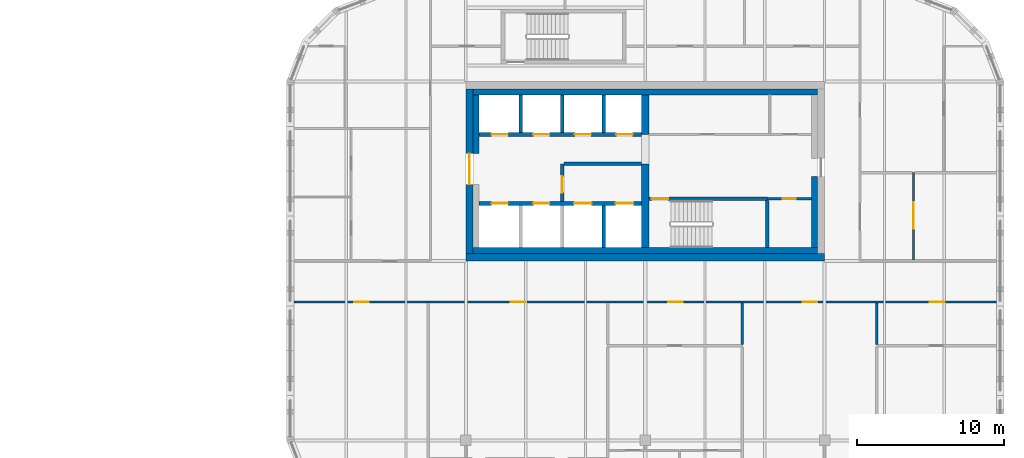
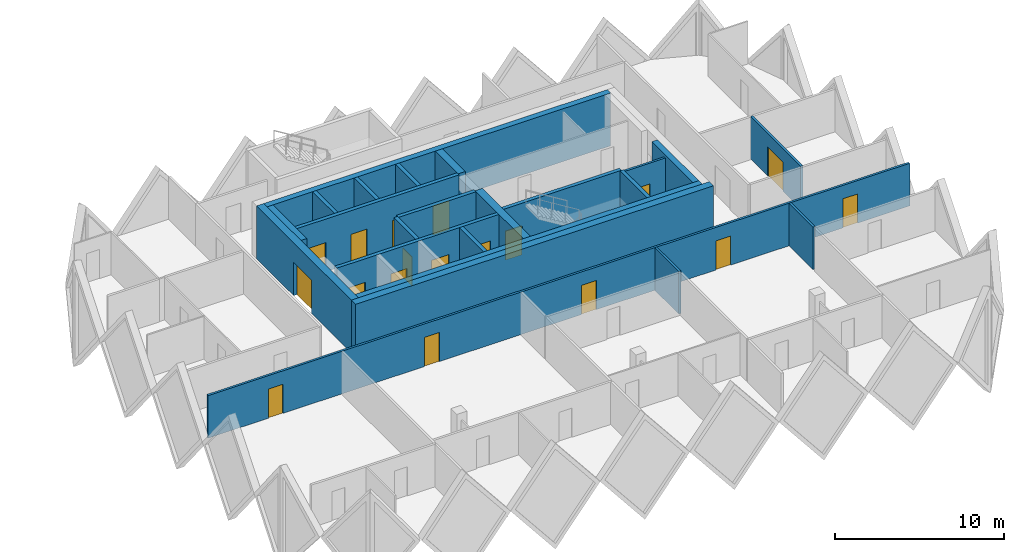
# One storey, part 14 of 19: 23 walls, 18 doors, 18 openings.
"""IFC4 building model written with IfcOpenShell, lengths in metres."""

from ifc_helpers import new_model, si_unit, direction, frame, frame_2d, origin, place, context, subcontext, project, spatial, rectangle, extrude, source, transform, mapped, material, layer, layer_set, type_object, element, fill, save


model = new_model("IFC4")

# Units and contexts
model_context = context("Model", 3, precision=1e-05, world=origin(), true_north=direction((0.0, 1.0)))
body_context = subcontext(model_context, "Body", "Model", "MODEL_VIEW")
ifc_project = project(units=[si_unit("LENGTHUNIT", "METRE"), si_unit("AREAUNIT", "SQUARE_METRE"), si_unit("VOLUMEUNIT", "CUBIC_METRE"), si_unit("PLANEANGLEUNIT", "RADIAN"), si_unit("MASSUNIT", "GRAM", prefix="KILO")], contexts=[model_context])

# Site, building, storey
site_placement = place(None, origin())
site = spatial("IfcSite", under=ifc_project, at=site_placement, CompositionType="ELEMENT")
building_placement = place(site_placement, origin())
building = spatial("IfcBuilding", under=site, at=building_placement, Name="Tessera Gate Towers", CompositionType="ELEMENT")
storey_placement = place(building_placement, frame((0.0, 0.0, 72.39990234375)))
storey = spatial("IfcBuildingStorey", under=building, at=storey_placement, Name="L17", CompositionType="ELEMENT", Elevation=72.39990234375)

# Wall, openings, doors
ifc_material_1 = material(Name="Concrete C40/50", Category="concrete")
ifc_layer_1 = layer(ifc_material_1, 0.25)
ifc_layer_set_1 = layer_set([ifc_layer_1], Name="CORE ENCLOSURE WALL 250")
wall_type_1 = type_object("IfcWallType", Name="CORE ENCLOSURE WALL 250", PredefinedType="SOLIDWALL", material=ifc_layer_set_1)
wall_1_placement = place(storey_placement, frame((98.5, 40.5, 0.0), z_axis=(0.0, 0.0, 1.0), x_axis=(1.0, 0.0, 0.0)))
wall_1 = element("IfcWall", 1, at=wall_1_placement, inside=storey, type_object=wall_type_1, Name="L17 shaft and stair enclosure wall", PredefinedType="SOLIDWALL", context=body_context, shape_type="SweptSolid", body=[
    extrude(rectangle(XDim=11.050048828125, YDim=0.25, at=frame_2d((5.52490234375, 0.0))), origin(), (0.0, 0.0, 1.0), 3.800048828125),
])
shared_shape_1 = source(origin(), body_context, "Body", "SweptSolid", [
    extrude(rectangle(XDim=1.10009765625, YDim=2.10009765625, at=frame_2d((0.550048828125, 1.050048828125))), frame((0.0, 0.135009765625, 0.0), z_axis=(0.0, -1.0, 0.0), x_axis=(1.0, 0.0, 0.0)), (0.0, 0.0, 1.0), 0.27001953125),
])
opening_1_placement = place(wall_1_placement, frame((0.862548828125, 0.0, 0.0)))
opening_1 = element("IfcOpeningElement", 2, at=opening_1_placement, cuts=wall_1, Name="Opening LD-TL1", PredefinedType="OPENING", context=body_context, shape_type="MappedRepresentation", body=[
    mapped(shared_shape_1, transform((0.0, 0.0, 0.0), scale=1.0)),
])
opening_2_placement = place(wall_1_placement, frame((3.6875, 0.0, 0.0)))
opening_2 = element("IfcOpeningElement", 3, at=opening_2_placement, cuts=wall_1, Name="Opening LD-TL2", PredefinedType="OPENING", context=body_context, shape_type="MappedRepresentation", body=[
    mapped(shared_shape_1, transform((0.0, 0.0, 0.0), scale=1.0)),
])
shared_shape_2 = source(origin(), body_context, "Body", "SweptSolid", [
    extrude(rectangle(XDim=1.199951171875, YDim=2.10009765625, at=frame_2d((0.60009765625, 1.050048828125))), frame((0.0, 0.135009765625, 0.0), z_axis=(0.0, -1.0, 0.0), x_axis=(1.0, 0.0, 0.0)), (0.0, 0.0, 1.0), 0.27001953125),
])
opening_3_placement = place(wall_1_placement, frame((6.46240234375, 0.0, 0.0)))
opening_3 = element("IfcOpeningElement", 4, at=opening_3_placement, cuts=wall_1, Name="Opening LD-FF3", PredefinedType="OPENING", context=body_context, shape_type="MappedRepresentation", body=[
    mapped(shared_shape_2, transform((0.0, 0.0, 0.0), scale=1.0)),
])
opening_4_placement = place(wall_1_placement, frame((9.28759765625, 0.0, 0.0)))
opening_4 = element("IfcOpeningElement", 5, at=opening_4_placement, cuts=wall_1, Name="Opening LD-FF4", PredefinedType="OPENING", context=body_context, shape_type="MappedRepresentation", body=[
    mapped(shared_shape_2, transform((0.0, 0.0, 0.0), scale=1.0)),
])
ifc_material_2 = material(Name="Stainless steel", Category="steel")
door_type_1 = type_object("IfcDoorType", Name="CORE DOOR LD1200 1200x2100", OperationType="DOUBLE_DOOR_SLIDING", PredefinedType="DOOR", material=ifc_material_2)
shared_shape_3 = source(origin(), body_context, "Body", "SweptSolid", [
    extrude(rectangle(XDim=1.199951171875, YDim=2.10009765625, at=frame_2d((0.60009765625, 1.050048828125))), frame((0.0, 0.02490234375, 0.0), z_axis=(0.0, -1.0, 0.0), x_axis=(1.0, 0.0, 0.0)), (0.0, 0.0, 1.0), 0.050048828125),
])
door_1_placement = place(opening_3_placement, origin())
door_1 = element("IfcDoor", 6, at=door_1_placement, inside=storey, type_object=door_type_1, Name="Landing door FF3 L17", OperationType="DOUBLE_DOOR_SLIDING", OverallHeight=2.10009765625, OverallWidth=1.199951171875, PredefinedType="DOOR", context=body_context, shape_type="MappedRepresentation", body=[
    mapped(shared_shape_3, transform((0.0, 0.0, 0.0), scale=1.0)),
])
fill(opening_3, door_1)
door_2_placement = place(opening_4_placement, origin())
door_2 = element("IfcDoor", 7, at=door_2_placement, inside=storey, type_object=door_type_1, Name="Landing door FF4 L17", OperationType="DOUBLE_DOOR_SLIDING", OverallHeight=2.10009765625, OverallWidth=1.199951171875, PredefinedType="DOOR", context=body_context, shape_type="MappedRepresentation", body=[
    mapped(shared_shape_3, transform((0.0, 0.0, 0.0), scale=1.0)),
])
fill(opening_4, door_2)
ifc_material_3 = material(Name="Stainless steel", Category="steel")
door_type_2 = type_object("IfcDoorType", Name="CORE DOOR LD 1100x2100", OperationType="DOUBLE_DOOR_SLIDING", PredefinedType="DOOR", material=ifc_material_3)
shared_shape_4 = source(origin(), body_context, "Body", "SweptSolid", [
    extrude(rectangle(XDim=1.10009765625, YDim=2.10009765625, at=frame_2d((0.550048828125, 1.050048828125))), frame((0.0, 0.02490234375, 0.0), z_axis=(0.0, -1.0, 0.0), x_axis=(1.0, 0.0, 0.0)), (0.0, 0.0, 1.0), 0.050048828125),
])
door_3_placement = place(opening_1_placement, origin())
door_3 = element("IfcDoor", 8, at=door_3_placement, inside=storey, type_object=door_type_2, Name="Landing door TL1 L17", OperationType="DOUBLE_DOOR_SLIDING", OverallHeight=2.10009765625, OverallWidth=1.10009765625, PredefinedType="DOOR", context=body_context, shape_type="MappedRepresentation", body=[
    mapped(shared_shape_4, transform((0.0, 0.0, 0.0), scale=1.0)),
])
fill(opening_1, door_3)
door_4_placement = place(opening_2_placement, origin())
door_4 = element("IfcDoor", 9, at=door_4_placement, inside=storey, type_object=door_type_2, Name="Landing door TL2 L17", OperationType="DOUBLE_DOOR_SLIDING", OverallHeight=2.10009765625, OverallWidth=1.10009765625, PredefinedType="DOOR", context=body_context, shape_type="MappedRepresentation", body=[
    mapped(shared_shape_4, transform((0.0, 0.0, 0.0), scale=1.0)),
])
fill(opening_2, door_4)

wall_2_placement = place(storey_placement, frame((109.550048828125, 45.199951171875, 0.0), z_axis=(0.0, 0.0, 1.0), x_axis=(-1.0, 0.0, 0.0)))
wall_2 = element("IfcWall", 10, at=wall_2_placement, inside=storey, type_object=wall_type_1, Name="L17 shaft and stair enclosure wall", PredefinedType="SOLIDWALL", context=body_context, shape_type="SweptSolid", body=[
    extrude(rectangle(XDim=11.050048828125, YDim=0.25, at=frame_2d((5.52490234375, 0.0))), origin(), (0.0, 0.0, 1.0), 3.800048828125),
])
opening_5_placement = place(wall_2_placement, frame((9.08740234375, 0.0, 0.0)))
opening_5 = element("IfcOpeningElement", 11, at=opening_5_placement, cuts=wall_2, Name="Opening LD-TL3", PredefinedType="OPENING", context=body_context, shape_type="MappedRepresentation", body=[
    mapped(shared_shape_1, transform((0.0, 0.0, 0.0), scale=1.0)),
])
opening_6_placement = place(wall_2_placement, frame((6.262451171875, 0.0, 0.0)))
opening_6 = element("IfcOpeningElement", 12, at=opening_6_placement, cuts=wall_2, Name="Opening LD-TL4", PredefinedType="OPENING", context=body_context, shape_type="MappedRepresentation", body=[
    mapped(shared_shape_1, transform((0.0, 0.0, 0.0), scale=1.0)),
])
opening_7_placement = place(wall_2_placement, frame((3.4375, 0.0, 0.0)))
opening_7 = element("IfcOpeningElement", 13, at=opening_7_placement, cuts=wall_2, Name="Opening LD-TL5", PredefinedType="OPENING", context=body_context, shape_type="MappedRepresentation", body=[
    mapped(shared_shape_1, transform((0.0, 0.0, 0.0), scale=1.0)),
])
opening_8_placement = place(wall_2_placement, frame((0.612548828125, 0.0, 0.0)))
opening_8 = element("IfcOpeningElement", 14, at=opening_8_placement, cuts=wall_2, Name="Opening LD-TL6", PredefinedType="OPENING", context=body_context, shape_type="MappedRepresentation", body=[
    mapped(shared_shape_1, transform((0.0, 0.0, 0.0), scale=1.0)),
])
door_5_placement = place(opening_5_placement, origin())
door_5 = element("IfcDoor", 15, at=door_5_placement, inside=storey, type_object=door_type_2, Name="Landing door TL3 L17", OperationType="DOUBLE_DOOR_SLIDING", OverallHeight=2.10009765625, OverallWidth=1.10009765625, PredefinedType="DOOR", context=body_context, shape_type="MappedRepresentation", body=[
    mapped(shared_shape_4, transform((0.0, 0.0, 0.0), scale=1.0)),
])
fill(opening_5, door_5)
door_6_placement = place(opening_6_placement, origin())
door_6 = element("IfcDoor", 16, at=door_6_placement, inside=storey, type_object=door_type_2, Name="Landing door TL4 L17", OperationType="DOUBLE_DOOR_SLIDING", OverallHeight=2.10009765625, OverallWidth=1.10009765625, PredefinedType="DOOR", context=body_context, shape_type="MappedRepresentation", body=[
    mapped(shared_shape_4, transform((0.0, 0.0, 0.0), scale=1.0)),
])
fill(opening_6, door_6)
door_7_placement = place(opening_7_placement, origin())
door_7 = element("IfcDoor", 17, at=door_7_placement, inside=storey, type_object=door_type_2, Name="Landing door TL5 L17", OperationType="DOUBLE_DOOR_SLIDING", OverallHeight=2.10009765625, OverallWidth=1.10009765625, PredefinedType="DOOR", context=body_context, shape_type="MappedRepresentation", body=[
    mapped(shared_shape_4, transform((0.0, 0.0, 0.0), scale=1.0)),
])
fill(opening_7, door_7)
door_8_placement = place(opening_8_placement, origin())
door_8 = element("IfcDoor", 18, at=door_8_placement, inside=storey, type_object=door_type_2, Name="Landing door TL6 L17", OperationType="DOUBLE_DOOR_SLIDING", OverallHeight=2.10009765625, OverallWidth=1.10009765625, PredefinedType="DOOR", context=body_context, shape_type="MappedRepresentation", body=[
    mapped(shared_shape_4, transform((0.0, 0.0, 0.0), scale=1.0)),
])
fill(opening_8, door_8)

# Wall, opening, door
wall_3_placement = place(storey_placement, frame((118.10009765625, 40.824951171875, 0.0), z_axis=(0.0, 0.0, 1.0), x_axis=(-1.0, 0.0, 0.0)))
wall_3 = element("IfcWall", 19, at=wall_3_placement, inside=storey, type_object=wall_type_1, Name="L17 shaft and stair enclosure wall", PredefinedType="SOLIDWALL", context=body_context, shape_type="SweptSolid", body=[
    extrude(rectangle(XDim=8.050048828125, YDim=0.25, at=frame_2d((4.02490234375, 0.0))), origin(), (0.0, 0.0, 1.0), 3.800048828125),
])
opening_9_placement = place(wall_3_placement, frame((6.75, 0.0, 0.0)))
opening_9 = element("IfcOpeningElement", 20, at=opening_9_placement, cuts=wall_3, Name="Opening SD-ST6-1", PredefinedType="OPENING", context=body_context, shape_type="MappedRepresentation", body=[
    mapped(shared_shape_1, transform((0.0, 0.0, 0.0), scale=1.0)),
])
ifc_material_4 = material(Name="Hollow steel fire door", Category="steel")
door_type_3 = type_object("IfcDoorType", Name="CORE DOOR SD1100 1100x2100", OperationType="NOTDEFINED", PredefinedType="DOOR", material=ifc_material_4)
door_9_placement = place(opening_9_placement, origin())
door_9 = element("IfcDoor", 21, at=door_9_placement, inside=storey, type_object=door_type_3, Name="Stair door", OperationType="SINGLE_SWING_RIGHT", OverallHeight=2.10009765625, OverallWidth=1.10009765625, PredefinedType="DOOR", context=body_context, shape_type="MappedRepresentation", body=[
    mapped(shared_shape_4, transform((0.0, 0.0, 0.0), scale=1.0)),
])
fill(opening_9, door_9)

wall_4_placement = place(storey_placement, frame((104.14990234375, 43.199951171875, 0.0), z_axis=(0.0, 0.0, 1.0), x_axis=(0.0, -1.0, 0.0)))
wall_4 = element("IfcWall", 22, at=wall_4_placement, inside=storey, type_object=wall_type_1, Name="L17 shaft and stair enclosure wall", PredefinedType="SOLIDWALL", context=body_context, shape_type="SweptSolid", body=[
    extrude(rectangle(XDim=2.574951171875, YDim=0.25, at=frame_2d((1.28759765625, 0.0))), origin(), (0.0, 0.0, 1.0), 3.800048828125),
])
opening_10_placement = place(wall_4_placement, frame((0.85009765625, 0.0, 0.0)))
opening_10 = element("IfcOpeningElement", 23, at=opening_10_placement, cuts=wall_4, Name="Opening FD-T2-10-03", PredefinedType="OPENING", context=body_context, shape_type="MappedRepresentation", body=[
    mapped(shared_shape_1, transform((0.0, 0.0, 0.0), scale=1.0)),
])
ifc_material_5 = material(Name="Hollow steel fire door", Category="steel")
door_type_4 = type_object("IfcDoorType", Name="CORE DOOR FD 1100x2100", OperationType="NOTDEFINED", PredefinedType="DOOR", material=ifc_material_5)
door_10_placement = place(opening_10_placement, origin())
door_10 = element("IfcDoor", 24, at=door_10_placement, inside=storey, type_object=door_type_4, Name="Fire-fighting lobby door", OperationType="SINGLE_SWING_RIGHT", OverallHeight=2.10009765625, OverallWidth=1.10009765625, PredefinedType="DOOR", context=body_context, shape_type="MappedRepresentation", body=[
    mapped(shared_shape_4, transform((0.0, 0.0, 0.0), scale=1.0)),
])
fill(opening_10, door_10)

# Walls
wall_5_placement = place(storey_placement, frame((104.27490234375, 43.199951171875, 0.0), z_axis=(0.0, 0.0, 1.0), x_axis=(1.0, 0.0, 0.0)))
element("IfcWall", 25, at=wall_5_placement, inside=storey, type_object=wall_type_1, Name="L17 shaft and stair enclosure wall", PredefinedType="SOLIDWALL", context=body_context, shape_type="SweptSolid", body=[
    extrude(rectangle(XDim=5.275146484375, YDim=0.25, at=frame_2d((2.6376953125, 0.0))), origin(), (0.0, 0.0, 1.0), 3.800048828125),
])
wall_6_placement = place(storey_placement, frame((118.10009765625, 37.5, 0.0), z_axis=(0.0, 0.0, 1.0), x_axis=(0.0, 1.0, 0.0)))
element("IfcWall", 26, at=wall_6_placement, inside=storey, type_object=wall_type_1, Name="L17 shaft and stair enclosure wall", PredefinedType="SOLIDWALL", context=body_context, shape_type="SweptSolid", body=[
    extrude(rectangle(XDim=3.199951171875, YDim=0.25, at=frame_2d((1.60009765625, 0.0))), origin(), (0.0, 0.0, 1.0), 3.800048828125),
])
wall_7_placement = place(storey_placement, frame((106.97509765625, 37.5, 0.0), z_axis=(0.0, 0.0, 1.0), x_axis=(0.0, 1.0, 0.0)))
element("IfcWall", 27, at=wall_7_placement, inside=storey, type_object=wall_type_1, Name="L17 shaft and stair enclosure wall", PredefinedType="SOLIDWALL", context=body_context, shape_type="SweptSolid", body=[
    extrude(rectangle(XDim=2.875, YDim=0.25, at=frame_2d((1.4375, 0.0))), origin(), (0.0, 0.0, 1.0), 3.800048828125),
])
for number, where, z_axis, x_axis, name in (
    (28, (101.324951171875, 45.324951171875, 0.0), (0.0, 0.0, 1.0), (0.0, 1.0, 0.0), "L17 shaft and stair enclosure wall"),
    (29, (104.14990234375, 45.324951171875, 0.0), (0.0, 0.0, 1.0), (0.0, 1.0, 0.0), "L17 shaft and stair enclosure wall"),
    (30, (106.97509765625, 45.324951171875, 0.0), (0.0, 0.0, 1.0), (0.0, 1.0, 0.0), "L17 shaft and stair enclosure wall"),
):
    element("IfcWall", number, at=place(storey_placement, frame(where, z_axis=z_axis, x_axis=x_axis)), inside=storey, type_object=wall_type_1, Name=name, PredefinedType="SOLIDWALL", context=body_context, shape_type="SweptSolid", body=[
        extrude(rectangle(XDim=2.574951171875, YDim=0.25, at=frame_2d((1.28759765625, 0.0))), origin(), (0.0, 0.0, 1.0), 3.800048828125),
    ])
ifc_material_6 = material(Name="Concrete C50/60", Category="concrete")
ifc_layer_2 = layer(ifc_material_6, 0.5)
ifc_layer_set_2 = layer_set([ifc_layer_2], Name="CORE SHEAR WALL 500 C50/60")
wall_type_2 = type_object("IfcWallType", Name="CORE SHEAR WALL 500 C50/60", PredefinedType="SHEAR", material=ifc_layer_set_2)
wall_8_placement = place(storey_placement, frame((122.0, 36.85009765625, 0.0), z_axis=(0.0, 0.0, 1.0), x_axis=(-1.0, 0.0, 0.0)))
element("IfcWall", 31, at=wall_8_placement, inside=storey, type_object=wall_type_2, Name="Core wall S L17", PredefinedType="SHEAR", context=body_context, shape_type="SweptSolid", body=[
    extrude(rectangle(XDim=24.39990234375, YDim=0.5, at=frame_2d((12.199951171875, 0.0))), origin(), (0.0, 0.0, 1.0), 3.800048828125),
])

# Wall, opening, door
wall_9_placement = place(storey_placement, frame((97.85009765625, 37.10009765625, 0.0), z_axis=(0.0, 0.0, 1.0), x_axis=(0.0, 1.0, 0.0)))
wall_9 = element("IfcWall", 32, at=wall_9_placement, inside=storey, type_object=wall_type_2, Name="Core wall W L17", PredefinedType="SHEAR", context=body_context, shape_type="SweptSolid", body=[
    extrude(rectangle(XDim=11.199951171875, YDim=0.5, at=frame_2d((5.60009765625, 0.0))), origin(), (0.0, 0.0, 1.0), 3.800048828125),
])
shared_shape_5 = source(origin(), body_context, "Body", "SweptSolid", [
    extrude(rectangle(XDim=2.10009765625, YDim=2.39990234375, at=frame_2d((1.050048828125, 1.199951171875))), frame((0.0, 0.260009765625, 0.0), z_axis=(0.0, -1.0, 0.0), x_axis=(1.0, 0.0, 0.0)), (0.0, 0.0, 1.0), 0.52001953125),
])
opening_11_placement = place(wall_9_placement, frame((4.699951171875, 0.0, 0.0)))
opening_11 = element("IfcOpeningElement", 33, at=opening_11_placement, cuts=wall_9, Name="Opening DD-T2-10-01", PredefinedType="OPENING", context=body_context, shape_type="MappedRepresentation", body=[
    mapped(shared_shape_5, transform((0.0, 0.0, 0.0), scale=1.0)),
])
ifc_material_7 = material(Name="Hollow steel fire door", Category="steel")
door_type_5 = type_object("IfcDoorType", Name="CORE DOOR DD 2100x2400", OperationType="NOTDEFINED", PredefinedType="DOOR", material=ifc_material_7)
shared_shape_6 = source(origin(), body_context, "Body", "SweptSolid", [
    extrude(rectangle(XDim=2.10009765625, YDim=2.39990234375, at=frame_2d((1.050048828125, 1.199951171875))), frame((0.0, 0.02490234375, 0.0), z_axis=(0.0, -1.0, 0.0), x_axis=(1.0, 0.0, 0.0)), (0.0, 0.0, 1.0), 0.050048828125),
])
door_11_placement = place(opening_11_placement, origin())
door_11 = element("IfcDoor", 34, at=door_11_placement, inside=storey, type_object=door_type_5, Name="Core entrance door", OperationType="DOUBLE_DOOR_SINGLE_SWING", OverallHeight=2.39990234375, OverallWidth=2.10009765625, PredefinedType="DOOR", context=body_context, shape_type="MappedRepresentation", body=[
    mapped(shared_shape_6, transform((0.0, 0.0, 0.0), scale=1.0)),
])
fill(opening_11, door_11)

# Walls
ifc_material_8 = material(Name="Concrete C50/60", Category="concrete")
ifc_layer_3 = layer(ifc_material_8, 0.5)
ifc_layer_set_3 = layer_set([ifc_layer_3], Name="CORE SPINE WALL 500 C50/60")
wall_type_3 = type_object("IfcWallType", Name="CORE SPINE WALL 500 C50/60", PredefinedType="SHEAR", material=ifc_layer_set_3)
wall_10_placement = place(storey_placement, frame((109.800048828125, 37.5, 0.0), z_axis=(0.0, 0.0, 1.0), x_axis=(0.0, 1.0, 0.0)))
element("IfcWall", 35, at=wall_10_placement, inside=storey, type_object=wall_type_3, Name="Core wall spine L17", PredefinedType="SHEAR", context=body_context, shape_type="SweptSolid", body=[
    extrude(rectangle(XDim=5.699951171875, YDim=0.5, at=frame_2d((2.85009765625, 0.0))), origin(), (0.0, 0.0, 1.0), 3.800048828125),
])
wall_11_placement = place(storey_placement, frame((109.800048828125, 45.199951171875, 0.0), z_axis=(0.0, 0.0, 1.0), x_axis=(0.0, 1.0, 0.0)))
element("IfcWall", 36, at=wall_11_placement, inside=storey, type_object=wall_type_3, Name="Core wall spine L17", PredefinedType="SHEAR", context=body_context, shape_type="SweptSolid", body=[
    extrude(rectangle(XDim=2.699951171875, YDim=0.5, at=frame_2d((1.35009765625, 0.0))), origin(), (0.0, 0.0, 1.0), 3.800048828125),
])
ifc_material_9 = material(Name="Concrete C50/60", Category="concrete")
ifc_layer_4 = layer(ifc_material_9, 0.39990234375)
ifc_layer_set_4 = layer_set([ifc_layer_4], Name="CORE WALL THICKENING 400")
wall_type_4 = type_object("IfcWallType", Name="CORE WALL THICKENING 400", PredefinedType="SOLIDWALL", material=ifc_layer_set_4)
for number, where, z_axis, x_axis, name in (
    (37, (98.10009765625, 37.300048828125, 0.0), (0.0, 0.0, 1.0), (1.0, 0.0, 0.0), "Core wall thickening S L17"),
    (38, (98.10009765625, 48.10009765625, 0.0), (0.0, 0.0, 1.0), (1.0, 0.0, 0.0), "Core wall thickening N L17"),
):
    element("IfcWall", number, at=place(storey_placement, frame(where, z_axis=z_axis, x_axis=x_axis)), inside=storey, type_object=wall_type_4, Name=name, PredefinedType="SOLIDWALL", context=body_context, shape_type="SweptSolid", body=[
        extrude(rectangle(XDim=23.39990234375, YDim=0.39990234375, at=frame_2d((11.699951171875, 0.0))), origin(), (0.0, 0.0, 1.0), 3.800048828125),
    ])
wall_12_placement = place(storey_placement, frame((98.300048828125, 43.89990234375, 0.0), z_axis=(0.0, 0.0, 1.0), x_axis=(0.0, 1.0, 0.0)))
element("IfcWall", 39, at=wall_12_placement, inside=storey, type_object=wall_type_4, Name="Core wall thickening W L17", PredefinedType="SOLIDWALL", context=body_context, shape_type="SweptSolid", body=[
    extrude(rectangle(XDim=4.0, YDim=0.39990234375, at=frame_2d((2.0, 0.0))), origin(), (0.0, 0.0, 1.0), 3.800048828125),
])
wall_13_placement = place(storey_placement, frame((121.300048828125, 37.5, 0.0), z_axis=(0.0, 0.0, 1.0), x_axis=(0.0, 1.0, 0.0)))
element("IfcWall", 40, at=wall_13_placement, inside=storey, type_object=wall_type_4, Name="Core wall thickening E L17", PredefinedType="SOLIDWALL", context=body_context, shape_type="SweptSolid", body=[
    extrude(rectangle(XDim=4.85009765625, YDim=0.39990234375, at=frame_2d((2.425048828125, 0.0))), origin(), (0.0, 0.0, 1.0), 3.800048828125),
])

# Wall, openings, doors
ifc_material_10 = material(Name="Gypsum board on steel studs, mineral wool", Category="steel")
ifc_layer_5 = layer(ifc_material_10, 0.14990234375)
ifc_layer_set_5 = layer_set([ifc_layer_5], Name="CORRIDOR WALL 150")
wall_type_5 = type_object("IfcWallType", Name="CORRIDOR WALL 150", PredefinedType="PARTITIONING", material=ifc_layer_set_5)
wall_14_placement = place(storey_placement, frame((133.699951171875, 33.800048828125, 0.0), z_axis=(0.0, 0.0, 1.0), x_axis=(-1.0, 0.0, 0.0)))
wall_14 = element("IfcWall", 41, at=wall_14_placement, inside=storey, type_object=wall_type_5, Name="T2-L17-PW-027", PredefinedType="PARTITIONING", context=body_context, shape_type="SweptSolid", body=[
    extrude(rectangle(XDim=47.800048828125, YDim=0.14990234375, at=frame_2d((23.89990234375, 0.0))), origin(), (0.0, 0.0, 1.0), 3.067138671875),
])
shared_shape_7 = source(origin(), body_context, "Body", "SweptSolid", [
    extrude(rectangle(XDim=1.0, YDim=2.10009765625, at=frame_2d((0.5, 1.050048828125))), frame((0.0, 0.0849609375, 0.0), z_axis=(0.0, -1.0, 0.0), x_axis=(1.0, 0.0, 0.0)), (0.0, 0.0, 1.0), 0.169921875),
])
opening_12_placement = place(wall_14_placement, frame((3.549072265625, 0.0, 0.0)))
opening_12 = element("IfcOpeningElement", 42, at=opening_12_placement, cuts=wall_14, Name="Opening D2100FD60-B07-04", PredefinedType="OPENING", context=body_context, shape_type="MappedRepresentation", body=[
    mapped(shared_shape_7, transform((0.0, 0.0, 0.0), scale=1.0)),
])
opening_13_placement = place(wall_14_placement, frame((42.699951171875, 0.0, 0.0)))
opening_13 = element("IfcOpeningElement", 43, at=opening_13_placement, cuts=wall_14, Name="Opening D2100FD60-B07-05", PredefinedType="OPENING", context=body_context, shape_type="MappedRepresentation", body=[
    mapped(shared_shape_7, transform((0.0, 0.0, 0.0), scale=1.0)),
])
opening_14_placement = place(wall_14_placement, frame((12.198974609375, 0.0, 0.0)))
opening_14 = element("IfcOpeningElement", 44, at=opening_14_placement, cuts=wall_14, Name="Opening D2100FD60-B07-06", PredefinedType="OPENING", context=body_context, shape_type="MappedRepresentation", body=[
    mapped(shared_shape_7, transform((0.0, 0.0, 0.0), scale=1.0)),
])
opening_15_placement = place(wall_14_placement, frame((21.34912109375, 0.0, 0.0)))
opening_15 = element("IfcOpeningElement", 45, at=opening_15_placement, cuts=wall_14, Name="Opening D2100FD60-B07-07", PredefinedType="OPENING", context=body_context, shape_type="MappedRepresentation", body=[
    mapped(shared_shape_7, transform((0.0, 0.0, 0.0), scale=1.0)),
])
opening_16_placement = place(wall_14_placement, frame((32.050048828125, 0.0, 0.0)))
opening_16 = element("IfcOpeningElement", 46, at=opening_16_placement, cuts=wall_14, Name="Opening D2100FD60-B07-08", PredefinedType="OPENING", context=body_context, shape_type="MappedRepresentation", body=[
    mapped(shared_shape_7, transform((0.0, 0.0, 0.0), scale=1.0)),
])
ifc_material_11 = material(Name="Timber door leaf in steel frame", Category="steel")
door_type_6 = type_object("IfcDoorType", Name="TENANCY ENTRANCE DOOR 1000 FD60", OperationType="NOTDEFINED", PredefinedType="DOOR", material=ifc_material_11)
shared_shape_8 = source(origin(), body_context, "Body", "SweptSolid", [
    extrude(rectangle(XDim=1.0, YDim=2.10009765625, at=frame_2d((0.5, 1.050048828125))), frame((0.0, 0.02490234375, 0.0), z_axis=(0.0, -1.0, 0.0), x_axis=(1.0, 0.0, 0.0)), (0.0, 0.0, 1.0), 0.050048828125),
])
door_12_placement = place(opening_12_placement, origin())
door_12 = element("IfcDoor", 47, at=door_12_placement, inside=storey, type_object=door_type_6, Name="T2-L17-PD-018", OperationType="SINGLE_SWING_RIGHT", OverallHeight=2.10009765625, OverallWidth=1.0, PredefinedType="DOOR", context=body_context, shape_type="MappedRepresentation", body=[
    mapped(shared_shape_8, transform((0.0, 0.0, 0.0), scale=1.0)),
])
fill(opening_12, door_12)
door_13_placement = place(opening_13_placement, origin())
door_13 = element("IfcDoor", 48, at=door_13_placement, inside=storey, type_object=door_type_6, Name="T2-L17-PD-021", OperationType="SINGLE_SWING_RIGHT", OverallHeight=2.10009765625, OverallWidth=1.0, PredefinedType="DOOR", context=body_context, shape_type="MappedRepresentation", body=[
    mapped(shared_shape_8, transform((0.0, 0.0, 0.0), scale=1.0)),
])
fill(opening_13, door_13)
door_14_placement = place(opening_14_placement, origin())
door_14 = element("IfcDoor", 49, at=door_14_placement, inside=storey, type_object=door_type_6, Name="T2-L17-PD-022", OperationType="SINGLE_SWING_RIGHT", OverallHeight=2.10009765625, OverallWidth=1.0, PredefinedType="DOOR", context=body_context, shape_type="MappedRepresentation", body=[
    mapped(shared_shape_8, transform((0.0, 0.0, 0.0), scale=1.0)),
])
fill(opening_14, door_14)
door_15_placement = place(opening_15_placement, origin())
door_15 = element("IfcDoor", 50, at=door_15_placement, inside=storey, type_object=door_type_6, Name="T2-L17-PD-023", OperationType="SINGLE_SWING_RIGHT", OverallHeight=2.10009765625, OverallWidth=1.0, PredefinedType="DOOR", context=body_context, shape_type="MappedRepresentation", body=[
    mapped(shared_shape_8, transform((0.0, 0.0, 0.0), scale=1.0)),
])
fill(opening_15, door_15)
door_16_placement = place(opening_16_placement, origin())
door_16 = element("IfcDoor", 51, at=door_16_placement, inside=storey, type_object=door_type_6, Name="T2-L17-PD-027", OperationType="SINGLE_SWING_RIGHT", OverallHeight=2.10009765625, OverallWidth=1.0, PredefinedType="DOOR", context=body_context, shape_type="MappedRepresentation", body=[
    mapped(shared_shape_8, transform((0.0, 0.0, 0.0), scale=1.0)),
])
fill(opening_16, door_16)

# Wall, opening, door
ifc_material_12 = material(Name="Gypsum board on steel studs", Category="steel")
ifc_layer_6 = layer(ifc_material_12, 0.14990234375)
ifc_layer_set_6 = layer_set([ifc_layer_6], Name="SERVICE ROOM WALL 150")
wall_type_6 = type_object("IfcWallType", Name="SERVICE ROOM WALL 150", PredefinedType="PARTITIONING", material=ifc_layer_set_6)
wall_15_placement = place(storey_placement, frame((121.10009765625, 40.824951171875, 0.0), z_axis=(0.0, 0.0, 1.0), x_axis=(-1.0, 0.0, 0.0)))
wall_15 = element("IfcWall", 52, at=wall_15_placement, inside=storey, type_object=wall_type_6, Name="L17 service room wall", PredefinedType="PARTITIONING", context=body_context, shape_type="SweptSolid", body=[
    extrude(rectangle(XDim=3.0, YDim=0.14990234375, at=frame_2d((1.5, 0.0))), origin(), (0.0, 0.0, 1.0), 3.60009765625),
])
shared_shape_9 = source(origin(), body_context, "Body", "SweptSolid", [
    extrude(rectangle(XDim=0.89990234375, YDim=2.10009765625, at=frame_2d((0.449951171875, 1.050048828125))), frame((0.0, 0.0849609375, 0.0), z_axis=(0.0, -1.0, 0.0), x_axis=(1.0, 0.0, 0.0)), (0.0, 0.0, 1.0), 0.169921875),
])
opening_17_placement = place(wall_15_placement, frame((1.050048828125, 0.0, 0.0)))
opening_17 = element("IfcOpeningElement", 53, at=opening_17_placement, cuts=wall_15, Name="Opening RD-T2-10-06", PredefinedType="OPENING", context=body_context, shape_type="MappedRepresentation", body=[
    mapped(shared_shape_9, transform((0.0, 0.0, 0.0), scale=1.0)),
])
ifc_material_13 = material(Name="Hollow steel fire door", Category="steel")
door_type_7 = type_object("IfcDoorType", Name="CORE DOOR RD 900x2100", OperationType="NOTDEFINED", PredefinedType="DOOR", material=ifc_material_13)
shared_shape_10 = source(origin(), body_context, "Body", "SweptSolid", [
    extrude(rectangle(XDim=0.89990234375, YDim=2.10009765625, at=frame_2d((0.449951171875, 1.050048828125))), frame((0.0, 0.02490234375, 0.0), z_axis=(0.0, -1.0, 0.0), x_axis=(1.0, 0.0, 0.0)), (0.0, 0.0, 1.0), 0.050048828125),
])
door_17_placement = place(opening_17_placement, origin())
door_17 = element("IfcDoor", 54, at=door_17_placement, inside=storey, type_object=door_type_7, Name="Core room door", OperationType="SINGLE_SWING_RIGHT", OverallHeight=2.10009765625, OverallWidth=0.89990234375, PredefinedType="DOOR", context=body_context, shape_type="MappedRepresentation", body=[
    mapped(shared_shape_10, transform((0.0, 0.0, 0.0), scale=1.0)),
])
fill(opening_17, door_17)

# Walls
ifc_material_14 = material(Name="Gypsum board on steel studs, mineral wool", Category="steel")
ifc_layer_7 = layer(ifc_material_14, 0.14990234375)
ifc_layer_set_7 = layer_set([ifc_layer_7], Name="TENANCY WALL 150")
wall_type_7 = type_object("IfcWallType", Name="TENANCY WALL 150", PredefinedType="PARTITIONING", material=ifc_layer_set_7)
for number, where, z_axis, x_axis, name in (
    (55, (116.39990234375, 30.90087890625, 0.0), (0.0, 0.0, 1.0), (0.0, 1.0, 0.0), "T2-L17-PW-025"),
    (56, (125.550048828125, 30.90087890625, 0.0), (0.0, 0.0, 1.0), (0.0, 1.0, 0.0), "T2-L17-PW-026"),
):
    element("IfcWall", number, at=place(storey_placement, frame(where, z_axis=z_axis, x_axis=x_axis)), inside=storey, type_object=wall_type_7, Name=name, PredefinedType="PARTITIONING", context=body_context, shape_type="SweptSolid", body=[
        extrude(rectangle(XDim=2.8232421875, YDim=0.14990234375, at=frame_2d((1.41162109375, 0.0))), origin(), (0.0, 0.0, 1.0), 3.067138671875),
    ])

# Wall, opening, door
wall_16_placement = place(storey_placement, frame((128.050048828125, 42.60009765625, 0.0), z_axis=(0.0, 0.0, 1.0), x_axis=(0.0, -1.0, 0.0)))
wall_16 = element("IfcWall", 57, at=wall_16_placement, inside=storey, type_object=wall_type_7, Name="T2-L17-PW-033", PredefinedType="PARTITIONING", context=body_context, shape_type="SweptSolid", body=[
    extrude(rectangle(XDim=5.924072265625, YDim=0.14990234375, at=frame_2d((2.9619140625, 0.0))), origin(), (0.0, 0.0, 1.0), 3.067138671875),
])
shared_shape_11 = source(origin(), body_context, "Body", "SweptSolid", [
    extrude(rectangle(XDim=1.800048828125, YDim=2.10009765625, at=frame_2d((0.89990234375, 1.050048828125))), frame((0.0, 0.0849609375, 0.0), z_axis=(0.0, -1.0, 0.0), x_axis=(1.0, 0.0, 0.0)), (0.0, 0.0, 1.0), 0.169921875),
])
opening_18_placement = place(wall_16_placement, frame((2.02392578125, 0.0, 0.0)))
opening_18 = element("IfcOpeningElement", 58, at=opening_18_placement, cuts=wall_16, Name="Opening D7180-B07-01", PredefinedType="OPENING", context=body_context, shape_type="MappedRepresentation", body=[
    mapped(shared_shape_11, transform((0.0, 0.0, 0.0), scale=1.0)),
])
ifc_material_15 = material(Name="Timber door leaf in steel frame", Category="steel")
door_type_8 = type_object("IfcDoorType", Name="DOUBLE DOOR 1800 NOT RATED", OperationType="NOTDEFINED", PredefinedType="DOOR", material=ifc_material_15)
shared_shape_12 = source(origin(), body_context, "Body", "SweptSolid", [
    extrude(rectangle(XDim=1.800048828125, YDim=2.10009765625, at=frame_2d((0.89990234375, 1.050048828125))), frame((0.0, 0.02490234375, 0.0), z_axis=(0.0, -1.0, 0.0), x_axis=(1.0, 0.0, 0.0)), (0.0, 0.0, 1.0), 0.050048828125),
])
door_18_placement = place(opening_18_placement, origin())
door_18 = element("IfcDoor", 59, at=door_18_placement, inside=storey, type_object=door_type_8, Name="T2-L17-PD-012", OperationType="DOUBLE_DOOR_SINGLE_SWING", OverallHeight=2.10009765625, OverallWidth=1.800048828125, PredefinedType="DOOR", context=body_context, shape_type="MappedRepresentation", body=[
    mapped(shared_shape_12, transform((0.0, 0.0, 0.0), scale=1.0)),
])
fill(opening_18, door_18)

save(model, "model.ifc")
